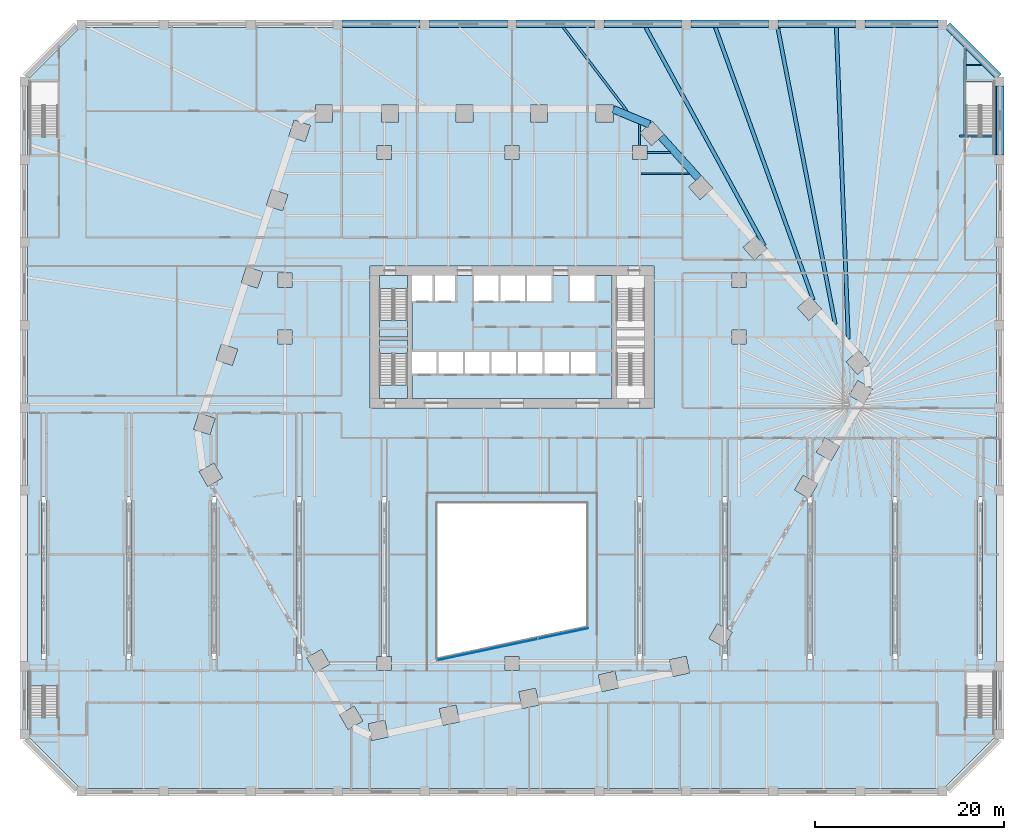
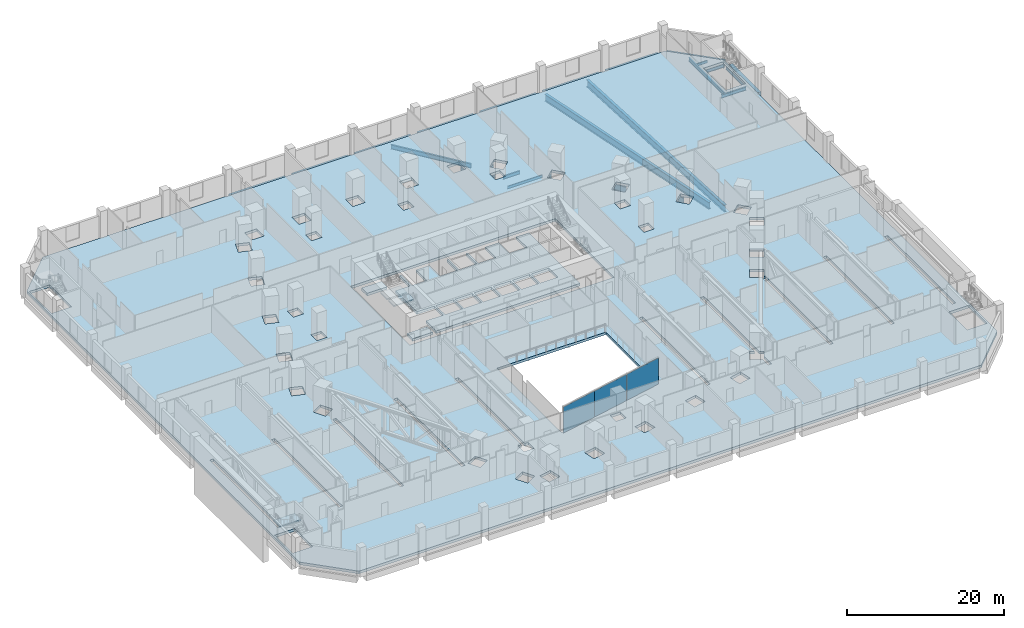
# One storey, part 11 of 32: 24 beams, 7 slabs, 3 plates, 4 elements without a shape of their own.
"""IFC4 building model written with IfcOpenShell, lengths in metres."""

from ifc_helpers import new_model, si_unit, direction, frame, origin, origin_2d, place, context, subcontext, project, spatial, polyline, rectangle, i_section, outline, extrude, material, layer, layer_set, material_profile, profile_set, type_object, element, aggregate, save


model = new_model("IFC4")

# Units and contexts
model_context = context("Model", 3, precision=1e-05, world=origin(), true_north=direction((0.0, 1.0)))
body_context = subcontext(model_context, "Body", "Model", "MODEL_VIEW")
ifc_project = project(units=[si_unit("LENGTHUNIT", "METRE"), si_unit("AREAUNIT", "SQUARE_METRE"), si_unit("VOLUMEUNIT", "CUBIC_METRE"), si_unit("PLANEANGLEUNIT", "RADIAN"), si_unit("MASSUNIT", "GRAM", prefix="KILO")], contexts=[model_context])

# Site, building, storey
site_placement = place(None, origin())
site = spatial("IfcSite", under=ifc_project, at=site_placement, CompositionType="ELEMENT")
building_placement = place(site_placement, origin())
building = spatial("IfcBuilding", under=site, at=building_placement, Name="Isthmus Gate Tower", CompositionType="ELEMENT")
storey_placement = place(building_placement, frame((0.0, 0.0, 18.0)))
storey = spatial("IfcBuildingStorey", under=building, at=storey_placement, Name="L02", CompositionType="ELEMENT", Elevation=18.0)

# Beams
ifc_material_1 = material(Name="Concrete f'c 70 MPa", Category="concrete")
ifc_material_profile_1 = material_profile(ifc_material_1, rectangle(XDim=0.800048828125, YDim=0.89990234375, at=origin_2d()), Name="RC 800X900")
ifc_profile_set_1 = profile_set([ifc_material_profile_1], Name="Concrete f'c 70 MPa")
beam_type_1 = type_object("IfcBeamType", Name="RC EDGE BEAM 800 X 900", PredefinedType="BEAM", material=ifc_profile_set_1)
for number, where, z_axis, x_axis, name in (
    (1, (-17.89990234375, 40.60009765625, -0.85009765625), (1.0, 0.0, 0.0), (0.0, 1.0, 0.0), "str-edgebeam-L02-12"),
    (2, (-8.699951171875, 40.60009765625, -0.85009765625), (1.0, 0.0, 0.0), (0.0, 1.0, 0.0), "str-edgebeam-L02-13"),
    (3, (0.5, 40.60009765625, -0.85009765625), (1.0, 0.0, 0.0), (0.0, 1.0, 0.0), "str-edgebeam-L02-14"),
    (4, (9.699951171875, 40.60009765625, -0.85009765625), (1.0, 0.0, 0.0), (0.0, 1.0, 0.0), "str-edgebeam-L02-15"),
):
    element("IfcBeam", number, at=place(storey_placement, frame(where, z_axis=z_axis, x_axis=x_axis)), inside=storey, type_object=beam_type_1, Name=name, PredefinedType="BEAM", context=body_context, shape_type="SweptSolid", body=[
        extrude(rectangle(XDim=0.800048828125, YDim=0.89990234375, at=origin_2d()), origin(), (0.0, 0.0, 1.0), 8.199951171875),
    ])
beam_1_placement = place(storey_placement, frame((18.89990234375, 40.60009765625, -0.85009765625), z_axis=(1.0, 0.0, 0.0), x_axis=(0.0, 1.0, 0.0)))
element("IfcBeam", 5, at=beam_1_placement, inside=storey, type_object=beam_type_1, Name="str-edgebeam-L02-16", PredefinedType="BEAM", context=body_context, shape_type="SweptSolid", body=[
    extrude(rectangle(XDim=0.800048828125, YDim=0.89990234375, at=origin_2d()), origin(), (0.0, 0.0, 1.0), 8.2001953125),
])
beam_2_placement = place(storey_placement, frame((28.10009765625, 40.60009765625, -0.85009765625), z_axis=(1.0, 0.0, 0.0), x_axis=(0.0, 1.0, 0.0)))
element("IfcBeam", 6, at=beam_2_placement, inside=storey, type_object=beam_type_1, Name="str-edgebeam-L02-17", PredefinedType="BEAM", context=body_context, shape_type="SweptSolid", body=[
    extrude(rectangle(XDim=0.800048828125, YDim=0.89990234375, at=origin_2d()), origin(), (0.0, 0.0, 1.0), 8.199951171875),
])
beam_3_placement = place(storey_placement, frame((37.300048828125, 40.60009765625, -0.85009765625), z_axis=(1.0, 0.0, 0.0), x_axis=(0.0, 1.0, 0.0)))
element("IfcBeam", 7, at=beam_3_placement, inside=storey, type_object=beam_type_1, Name="str-edgebeam-L02-18", PredefinedType="BEAM", context=body_context, shape_type="SweptSolid", body=[
    extrude(rectangle(XDim=0.800048828125, YDim=0.89990234375, at=origin_2d()), origin(), (0.0, 0.0, 1.0), 7.699951171875),
])
beam_4_placement = place(storey_placement, frame((46.0, 40.434326171875, -0.85009765625), z_axis=(0.707106781187, -0.707106781187, 0.0), x_axis=(0.707106781187, 0.707106781187, 0.0)))
element("IfcBeam", 8, at=beam_4_placement, inside=storey, type_object=beam_type_1, Name="str-edgebeam-L02-19", PredefinedType="BEAM", context=body_context, shape_type="SweptSolid", body=[
    extrude(rectangle(XDim=0.800048828125, YDim=0.89990234375, at=origin_2d()), origin(), (0.0, 0.0, 1.0), 7.685302734375),
])
beam_5_placement = place(storey_placement, frame((51.60009765625, 34.0, -0.85009765625), z_axis=(0.0, -1.0, 0.0), x_axis=(1.0, 0.0, 0.0)))
element("IfcBeam", 9, at=beam_5_placement, inside=storey, type_object=beam_type_1, Name="str-edgebeam-L02-20", PredefinedType="BEAM", context=body_context, shape_type="SweptSolid", body=[
    extrude(rectangle(XDim=0.800048828125, YDim=0.89990234375, at=origin_2d()), origin(), (0.0, 0.0, 1.0), 7.25),
])
ifc_material_2 = material(Name="Concrete f'c 70 MPa", Category="concrete")
ifc_material_profile_2 = material_profile(ifc_material_2, rectangle(XDim=0.800048828125, YDim=1.0, at=origin_2d()), Name="RC 800X1000")
ifc_profile_set_2 = profile_set([ifc_material_profile_2], Name="Concrete f'c 70 MPa")
beam_type_2 = type_object("IfcBeamType", Name="RC TUBE RING BEAM 800 X 1000", PredefinedType="BEAM", material=ifc_profile_set_2)
beam_6_placement = place(storey_placement, frame((10.701904296875, 31.56689453125, -0.89990234375), z_axis=(0.923334166719, -0.383997417399, 0.0), x_axis=(0.383997417399, 0.923334166719, 0.0)))
element("IfcBeam", 10, at=beam_6_placement, inside=storey, type_object=beam_type_2, Name="str-ringbeam-L02-00", PredefinedType="BEAM", context=body_context, shape_type="SweptSolid", body=[
    extrude(rectangle(XDim=0.800048828125, YDim=1.0, at=origin_2d()), origin(), (0.0, 0.0, 1.0), 4.15234375),
])
beam_7_placement = place(storey_placement, frame((15.772216796875, 28.66357421875, -0.89990234375), z_axis=(0.669141061586, -0.743135411415, 0.0), x_axis=(0.743135411415, 0.669141061586, 0.0)))
element("IfcBeam", 11, at=beam_7_placement, inside=storey, type_object=beam_type_2, Name="str-ringbeam-L02-01", PredefinedType="BEAM", context=body_context, shape_type="SweptSolid", body=[
    extrude(rectangle(XDim=0.800048828125, YDim=1.0, at=origin_2d()), origin(), (0.0, 0.0, 1.0), 5.889404296875),
])
ifc_material_3 = material(Name="Structural steel ASTM A992 Gr 50", Category="steel")
ifc_material_profile_3 = material_profile(ifc_material_3, i_section(OverallWidth=0.1396484375, OverallDepth=0.4033203125, WebThickness=0.00634765625, FlangeThickness=0.010986328125, at=origin_2d()), Name="W16X31")
ifc_profile_set_3 = profile_set([ifc_material_profile_3], Name="Structural steel ASTM A992 Gr 50")
beam_type_3 = type_object("IfcBeamType", Name="STEEL FLOOR BEAM W16X31", PredefinedType="JOIST", material=ifc_profile_set_3)
beam_8_placement = place(storey_placement, frame((48.0, 36.25146484375, -0.6015625), z_axis=(1.0, 0.0, 0.0), x_axis=(0.0, 1.0, 0.0)))
element("IfcBeam", 12, at=beam_8_placement, inside=storey, type_object=beam_type_3, Name="str-beam-L02-30-00", PredefinedType="JOIST", context=body_context, shape_type="SweptSolid", body=[
    extrude(i_section(OverallWidth=0.1396484375, OverallDepth=0.4033203125, WebThickness=0.00634765625, FlangeThickness=0.010986328125, at=origin_2d()), origin(), (0.0, 0.0, 1.0), 1.616943359375),
])
ifc_material_4 = material(Name="Structural steel ASTM A992 Gr 50", Category="steel")
ifc_material_profile_4 = material_profile(ifc_material_4, i_section(OverallWidth=0.15234375, OverallDepth=0.45068359375, WebThickness=0.0078125, FlangeThickness=0.010986328125, at=origin_2d()), Name="W18X35")
ifc_profile_set_4 = profile_set([ifc_material_profile_4], Name="Structural steel ASTM A992 Gr 50")
beam_type_4 = type_object("IfcBeamType", Name="STEEL FLOOR BEAM W18X35", PredefinedType="JOIST", material=ifc_profile_set_4)
beam_9_placement = place(storey_placement, frame((13.626953125, 24.76904296875, -0.62548828125), z_axis=(1.0, 0.0, 0.0), x_axis=(0.0, 1.0, 0.0)))
element("IfcBeam", 13, at=beam_9_placement, inside=storey, type_object=beam_type_4, Name="str-beam-L02-26-02", PredefinedType="JOIST", context=body_context, shape_type="SweptSolid", body=[
    extrude(i_section(OverallWidth=0.15234375, OverallDepth=0.45068359375, WebThickness=0.0078125, FlangeThickness=0.010986328125, at=origin_2d()), origin(), (0.0, 0.0, 1.0), 5.11376953125),
])
ifc_material_5 = material(Name="Structural steel ASTM A992 Gr 50", Category="steel")
ifc_material_profile_5 = material_profile(ifc_material_5, i_section(OverallWidth=0.25390625, OverallDepth=0.679443359375, WebThickness=0.010986328125, FlangeThickness=0.015869140625, at=origin_2d()), Name="W27X84")
ifc_profile_set_5 = profile_set([ifc_material_profile_5], Name="Structural steel ASTM A992 Gr 50")
beam_type_5 = type_object("IfcBeamType", Name="STEEL FLOOR BEAM W27X84", PredefinedType="JOIST", material=ifc_profile_set_5)
beam_10_placement = place(storey_placement, frame((12.145751953125, 31.399658203125, -0.73974609375), z_axis=(-0.6062299917, 0.795289379511, 0.0), x_axis=(-0.795289379511, -0.6062299917, 0.0)))
element("IfcBeam", 14, at=beam_10_placement, inside=storey, type_object=beam_type_5, Name="str-beam-L02-18-20", PredefinedType="JOIST", context=body_context, shape_type="SweptSolid", body=[
    extrude(i_section(OverallWidth=0.25390625, OverallDepth=0.679443359375, WebThickness=0.010986328125, FlangeThickness=0.015869140625, at=origin_2d()), origin(), (0.0, 0.0, 1.0), 11.0654296875),
])
ifc_material_6 = material(Name="Structural steel ASTM A992 Gr 50", Category="steel")
ifc_material_profile_6 = material_profile(ifc_material_6, i_section(OverallWidth=0.39990234375, OverallDepth=1.089111328125, WebThickness=0.017578125, FlangeThickness=0.03173828125, at=origin_2d()), Name="W44X230")
ifc_profile_set_6 = profile_set([ifc_material_profile_6], Name="Structural steel ASTM A992 Gr 50")
beam_type_6 = type_object("IfcBeamType", Name="STEEL FLOOR BEAM W44X230", PredefinedType="JOIST", material=ifc_profile_set_6)
beam_11_placement = place(storey_placement, frame((35.5419921875, 7.304931640625, -0.944580078125), z_axis=(-0.038305520887, 0.999266074211, 0.0), x_axis=(-0.999266074211, -0.038305520887, 0.0)))
element("IfcBeam", 15, at=beam_11_placement, inside=storey, type_object=beam_type_6, Name="str-beam-L02-18-12", PredefinedType="JOIST", context=body_context, shape_type="SweptSolid", body=[
    extrude(i_section(OverallWidth=0.39990234375, OverallDepth=1.089111328125, WebThickness=0.017578125, FlangeThickness=0.03173828125, at=origin_2d()), origin(), (0.0, 0.0, 1.0), 32.919189453125),
])
beam_12_placement = place(storey_placement, frame((34.1640625, 8.835205078125, -0.944580078125), z_axis=(-0.190388932387, 0.981708742155, 0.0), x_axis=(-0.981708742155, -0.190388932387, 0.0)))
element("IfcBeam", 16, at=beam_12_placement, inside=storey, type_object=beam_type_6, Name="str-beam-L02-18-14", PredefinedType="JOIST", context=body_context, shape_type="SweptSolid", body=[
    extrude(i_section(OverallWidth=0.39990234375, OverallDepth=1.089111328125, WebThickness=0.017578125, FlangeThickness=0.03173828125, at=origin_2d()), origin(), (0.0, 0.0, 1.0), 31.850341796875),
])
beam_13_placement = place(storey_placement, frame((31.833984375, 11.423095703125, -0.944580078125), z_axis=(-0.338018180935, 0.941139580167, 0.0), x_axis=(-0.941139580167, -0.338018180935, 0.0)))
element("IfcBeam", 17, at=beam_13_placement, inside=storey, type_object=beam_type_6, Name="str-beam-L02-18-16", PredefinedType="JOIST", context=body_context, shape_type="SweptSolid", body=[
    extrude(i_section(OverallWidth=0.39990234375, OverallDepth=1.089111328125, WebThickness=0.017578125, FlangeThickness=0.03173828125, at=origin_2d()), origin(), (0.0, 0.0, 1.0), 30.57666015625),
])
beam_14_placement = place(storey_placement, frame((26.67578125, 17.15185546875, -0.944580078125), z_axis=(-0.477721171073, 0.878511515411, 0.0), x_axis=(-0.878511515411, -0.477721171073, 0.0)))
element("IfcBeam", 18, at=beam_14_placement, inside=storey, type_object=beam_type_6, Name="str-beam-L02-18-18", PredefinedType="JOIST", context=body_context, shape_type="SweptSolid", body=[
    extrude(i_section(OverallWidth=0.39990234375, OverallDepth=1.089111328125, WebThickness=0.017578125, FlangeThickness=0.03173828125, at=origin_2d()), origin(), (0.0, 0.0, 1.0), 26.2353515625),
])
ifc_material_7 = material(Name="Structural steel ASTM A992 Gr 50", Category="steel")
ifc_material_profile_7 = material_profile(ifc_material_7, i_section(OverallWidth=0.20947265625, OverallDepth=0.533447265625, WebThickness=0.009521484375, FlangeThickness=0.015869140625, at=origin_2d()), Name="W21X62")
ifc_profile_set_7 = profile_set([ifc_material_profile_7], Name="Structural steel ASTM A992 Gr 50")
beam_type_7 = type_object("IfcBeamType", Name="STEEL GIRDER W21X62", PredefinedType="BEAM", material=ifc_profile_set_7)
beam_15_placement = place(storey_placement, frame((14.25, 27.0, -0.666748046875), z_axis=(1.0, 0.0, 0.0), x_axis=(0.0, 1.0, 0.0)))
element("IfcBeam", 19, at=beam_15_placement, inside=storey, type_object=beam_type_7, Name="str-girder-L02-14", PredefinedType="BEAM", context=body_context, shape_type="SweptSolid", body=[
    extrude(i_section(OverallWidth=0.20947265625, OverallDepth=0.533447265625, WebThickness=0.009521484375, FlangeThickness=0.015869140625, at=origin_2d()), origin(), (0.0, 0.0, 1.0), 2.48193359375),
])
beam_16_placement = place(storey_placement, frame((13.5, 27.75, -0.666748046875), z_axis=(0.0, 1.0, 0.0), x_axis=(-1.0, 0.0, 0.0)))
element("IfcBeam", 20, at=beam_16_placement, inside=storey, type_object=beam_type_7, Name="str-girder-L02-25", PredefinedType="BEAM", context=body_context, shape_type="SweptSolid", body=[
    extrude(i_section(OverallWidth=0.20947265625, OverallDepth=0.533447265625, WebThickness=0.009521484375, FlangeThickness=0.015869140625, at=origin_2d()), origin(), (0.0, 0.0, 1.0), 2.219970703125),
])
ifc_material_8 = material(Name="Structural steel ASTM A992 Gr 50", Category="steel")
ifc_material_profile_8 = material_profile(ifc_material_8, i_section(OverallWidth=0.20947265625, OverallDepth=0.533447265625, WebThickness=0.009521484375, FlangeThickness=0.015869140625, at=origin_2d()), Name="W21X62")
ifc_profile_set_8 = profile_set([ifc_material_profile_8], Name="Structural steel ASTM A992 Gr 50")
beam_type_8 = type_object("IfcBeamType", Name="STEEL TRIMMER W21X62", PredefinedType="BEAM", material=ifc_profile_set_8)
beam_17_placement = place(storey_placement, frame((51.0546875, 26.75, -0.666748046875), z_axis=(0.0, 1.0, 0.0), x_axis=(-1.0, 0.0, 0.0)))
element("IfcBeam", 21, at=beam_17_placement, inside=storey, type_object=beam_type_8, Name="str-trimmer-L02-05", PredefinedType="BEAM", context=body_context, shape_type="SweptSolid", body=[
    extrude(i_section(OverallWidth=0.20947265625, OverallDepth=0.533447265625, WebThickness=0.009521484375, FlangeThickness=0.015869140625, at=origin_2d()), origin(), (0.0, 0.0, 1.0), 7.25),
])
beam_18_placement = place(storey_placement, frame((47.895263671875, 37.973388671875, -0.666748046875), z_axis=(0.0, -1.0, 0.0), x_axis=(1.0, 0.0, 0.0)))
element("IfcBeam", 22, at=beam_18_placement, inside=storey, type_object=beam_type_8, Name="str-trimmer-L02-06", PredefinedType="BEAM", context=body_context, shape_type="SweptSolid", body=[
    extrude(i_section(OverallWidth=0.20947265625, OverallDepth=0.533447265625, WebThickness=0.009521484375, FlangeThickness=0.015869140625, at=origin_2d()), origin(), (0.0, 0.0, 1.0), 9.1484375),
])
beam_19_placement = place(storey_placement, frame((51.0, 34.52978515625, -0.666748046875), z_axis=(-1.0, 0.0, 0.0), x_axis=(0.0, -1.0, 0.0)))
element("IfcBeam", 23, at=beam_19_placement, inside=storey, type_object=beam_type_8, Name="str-trimmer-L02-14", PredefinedType="BEAM", context=body_context, shape_type="SweptSolid", body=[
    extrude(i_section(OverallWidth=0.20947265625, OverallDepth=0.533447265625, WebThickness=0.009521484375, FlangeThickness=0.015869140625, at=origin_2d()), origin(), (0.0, 0.0, 1.0), 3.0),
])
beam_20_placement = place(storey_placement, frame((47.300048828125, 28.72021484375, -0.666748046875), z_axis=(1.0, 0.0, 0.0), x_axis=(0.0, 1.0, 0.0)))
element("IfcBeam", 24, at=beam_20_placement, inside=storey, type_object=beam_type_8, Name="str-trimmer-L02-15", PredefinedType="BEAM", context=body_context, shape_type="SweptSolid", body=[
    extrude(i_section(OverallWidth=0.20947265625, OverallDepth=0.533447265625, WebThickness=0.009521484375, FlangeThickness=0.015869140625, at=origin_2d()), origin(), (0.0, 0.0, 1.0), 3.64990234375),
])

# Slabs
ifc_material_9 = material(Name="Concrete f'c 40 MPa", Category="concrete")
ifc_layer_1 = layer(ifc_material_9, 0.39990234375)
ifc_layer_set_1 = layer_set([ifc_layer_1], Name="CORE FLOOR SLAB 400")
slab_type_1 = type_object("IfcSlabType", Name="CORE FLOOR SLAB 400", PredefinedType="FLOOR", material=ifc_layer_set_1)
slab_1_placement = place(storey_placement, frame((0.0, 0.0, -0.39990234375)))
element("IfcSlab", 25, at=slab_1_placement, inside=storey, type_object=slab_type_1, Name="L02 core floor", PredefinedType="FLOOR", context=body_context, shape_type="SweptSolid", body=[
    extrude(outline(polyline([(-11.050048828125, 1.0), (-11.050048828125, 2.402099609375), (-14.0, 2.402099609375), (-14.0, 1.0), (-11.050048828125, 1.0)])), origin(), (0.0, 0.0, 1.0), 0.39990234375),
])
slab_2_placement = place(storey_placement, frame((0.0, 0.0, -0.39990234375)))
element("IfcSlab", 26, at=slab_2_placement, inside=storey, type_object=slab_type_1, Name="L02 core floor", PredefinedType="FLOOR", context=body_context, shape_type="SweptSolid", body=[
    extrude(outline(polyline([(-14.0, 14.0), (-14.0, 12.597900390625), (-11.050048828125, 12.597900390625), (-11.050048828125, 14.0), (-14.0, 14.0)])), origin(), (0.0, 0.0, 1.0), 0.39990234375),
])
slab_3_placement = place(storey_placement, frame((0.0, 0.0, -0.39990234375)))
element("IfcSlab", 27, at=slab_3_placement, inside=storey, type_object=slab_type_1, Name="L02 core floor", PredefinedType="FLOOR", context=body_context, shape_type="SweptSolid", body=[
    extrude(outline(polyline([(10.550048828125, 14.0), (8.699951171875, 14.0), (8.699951171875, 11.300048828125), (6.14990234375, 11.300048828125), (6.14990234375, 14.0), (4.14990234375, 14.0), (4.14990234375, 11.300048828125), (1.60009765625, 11.300048828125), (1.60009765625, 14.0), (1.35009765625, 14.0), (1.35009765625, 11.300048828125), (-1.199951171875, 11.300048828125), (-1.199951171875, 14.0), (-1.449951171875, 14.0), (-1.449951171875, 11.300048828125), (-4.0, 11.300048828125), (-4.0, 14.0), (-6.0, 14.0), (-6.0, 11.300048828125), (-8.14990234375, 11.300048828125), (-8.14990234375, 14.0), (-8.39990234375, 14.0), (-8.39990234375, 11.300048828125), (-10.550048828125, 11.300048828125), (-10.550048828125, 5.89990234375), (-8.0, 5.89990234375), (-8.0, 3.60009765625), (-10.550048828125, 3.60009765625), (-10.550048828125, 1.0), (10.550048828125, 1.0), (10.550048828125, 14.0)]), holes=[polyline([(-5.199951171875, 5.89990234375), (-5.199951171875, 3.60009765625), (-7.75, 3.60009765625), (-7.75, 5.89990234375), (-5.199951171875, 5.89990234375)]), polyline([(-2.39990234375, 5.89990234375), (-2.39990234375, 3.60009765625), (-4.949951171875, 3.60009765625), (-4.949951171875, 5.89990234375), (-2.39990234375, 5.89990234375)]), polyline([(0.39990234375, 5.89990234375), (0.39990234375, 3.60009765625), (-2.14990234375, 3.60009765625), (-2.14990234375, 5.89990234375), (0.39990234375, 5.89990234375)]), polyline([(3.199951171875, 5.89990234375), (3.199951171875, 3.60009765625), (0.64990234375, 3.60009765625), (0.64990234375, 5.89990234375), (3.199951171875, 5.89990234375)]), polyline([(6.0, 5.89990234375), (6.0, 3.60009765625), (3.449951171875, 3.60009765625), (3.449951171875, 5.89990234375), (6.0, 5.89990234375)]), polyline([(8.800048828125, 5.89990234375), (8.800048828125, 3.60009765625), (6.25, 3.60009765625), (6.25, 5.89990234375), (8.800048828125, 5.89990234375)])]), origin(), (0.0, 0.0, 1.0), 0.39990234375),
])

# Curtain wall, plates
ifc_material_10 = material(Name="Aluminium, pale champagne anodised", Category="aluminium")
ifc_layer_2 = layer(ifc_material_10, 0.199951171875)
ifc_layer_set_2 = layer_set([ifc_layer_2], Name="CW-4 ATRIUM CURTAIN WALL 200 DEEP")
curtain_wall_type = type_object("IfcCurtainWallType", Name="CW-4 ATRIUM CURTAIN WALL 200 DEEP", PredefinedType="NOTDEFINED", material=ifc_layer_set_2)
curtain_wall_placement = place(storey_placement, origin())
curtain_wall = element("IfcCurtainWall", 28, at=curtain_wall_placement, inside=storey, type_object=curtain_wall_type, Name="CW-4 atrium south L02", PredefinedType="NOTDEFINED")
ifc_material_11 = material(Name="Laminated low-iron glass, clear", Category="glass")
ifc_layer_3 = layer(ifc_material_11, 0.0439453125)
ifc_layer_set_3 = layer_set([ifc_layer_3], Name="CW-4 ATRIUM GLASS PANEL 44")
plate_type = type_object("IfcPlateType", Name="CW-4 ATRIUM GLASS PANEL 44", PredefinedType="CURTAIN_PANEL", material=ifc_layer_set_3)
plate_1_placement = place(storey_placement, frame((-5.262939453125, -26.11572265625, 0.0), z_axis=(0.0, 0.0, 1.0), x_axis=(0.978147600734, 0.207911690818, 0.0)))
plate_1 = element("IfcPlate", 29, at=plate_1_placement, type_object=plate_type, Name="CW-4 louvre panel", PredefinedType="CURTAIN_PANEL", context=body_context, shape_type="SweptSolid", body=[
    extrude(rectangle(XDim=5.37255859375, YDim=0.0439453125, at=origin_2d()), origin(), (0.0, 0.0, 1.0), 4.050048828125),
])
plate_2_placement = place(storey_placement, frame((0.03125, -24.990234375, 0.0), z_axis=(0.0, 0.0, 1.0), x_axis=(0.978147600734, 0.207911690818, 0.0)))
plate_2 = element("IfcPlate", 30, at=plate_2_placement, type_object=plate_type, Name="CW-4 louvre panel", PredefinedType="CURTAIN_PANEL", context=body_context, shape_type="SweptSolid", body=[
    extrude(rectangle(XDim=5.452392578125, YDim=0.0439453125, at=origin_2d()), origin(), (0.0, 0.0, 1.0), 4.050048828125),
])
plate_3_placement = place(storey_placement, frame((5.403564453125, -23.848388671875, 0.0), z_axis=(0.0, 0.0, 1.0), x_axis=(0.978147600734, 0.207911690818, 0.0)))
plate_3 = element("IfcPlate", 31, at=plate_3_placement, type_object=plate_type, Name="CW-4 louvre panel", PredefinedType="CURTAIN_PANEL", context=body_context, shape_type="SweptSolid", body=[
    extrude(rectangle(XDim=5.37255859375, YDim=0.0439453125, at=origin_2d()), origin(), (0.0, 0.0, 1.0), 4.050048828125),
])
aggregate(curtain_wall, [plate_1, plate_2, plate_3])

# Stair, slab
ifc_material_12 = material(Name="Concrete f'c 40 MPa", Category="concrete")
stair_type_1 = type_object("IfcStairType", Name="Podium exit stair 1400 wide flights", PredefinedType="HALF_TURN_STAIR", material=ifc_material_12)
stair_1_placement = place(storey_placement, origin())
stair_1 = element("IfcStair", 32, at=stair_1_placement, inside=storey, type_object=stair_type_1, Name="L02 Podium Exit Stair ST3", PredefinedType="HALF_TURN_STAIR")
ifc_material_13 = material(Name="Concrete f'c 40 MPa", Category="concrete")
ifc_layer_4 = layer(ifc_material_13, 0.199951171875)
ifc_layer_set_4 = layer_set([ifc_layer_4], Name="Podium stair landing 200")
slab_type_2 = type_object("IfcSlabType", Name="Podium stair landing 200", PredefinedType="LANDING", material=ifc_layer_set_4)
slab_4_placement = place(storey_placement, frame((0.0, 0.0, 2.050048828125)))
slab_4 = element("IfcSlab", 33, at=slab_4_placement, type_object=slab_type_2, Name="ST3 landing 1", PredefinedType="LANDING", context=body_context, shape_type="SweptSolid", body=[
    extrude(outline(polyline([(-47.89990234375, -29.364990234375), (-47.89990234375, -27.72900390625), (-51.050048828125, -27.72900390625), (-51.050048828125, -29.364990234375), (-47.89990234375, -29.364990234375)])), origin(), (0.0, 0.0, 1.0), 0.199951171875),
])
aggregate(stair_1, [slab_4])

ifc_material_14 = material(Name="Concrete f'c 40 MPa", Category="concrete")
stair_type_2 = type_object("IfcStairType", Name="CORE STAIR 26 RISERS", PredefinedType="HALF_TURN_STAIR", material=ifc_material_14)
stair_2_placement = place(storey_placement, origin())
stair_2 = element("IfcStair", 34, at=stair_2_placement, inside=storey, type_object=stair_type_2, Name="L02 Exit Stair 1", PredefinedType="HALF_TURN_STAIR")
ifc_material_15 = material(Name="Concrete f'c 40 MPa", Category="concrete")
ifc_layer_5 = layer(ifc_material_15, 0.199951171875)
ifc_layer_set_5 = layer_set([ifc_layer_5])
slab_type_3 = type_object("IfcSlabType", Name="STAIR LANDING RC 200", PredefinedType="LANDING", material=ifc_layer_set_5)
slab_5_placement = place(storey_placement, frame((0.0, 0.0, 2.050048828125)))
slab_5 = element("IfcSlab", 35, at=slab_5_placement, type_object=slab_type_3, Name="ST1 landing 1", PredefinedType="LANDING", context=body_context, shape_type="SweptSolid", body=[
    extrude(outline(polyline([(-14.0, 9.239990234375), (-14.0, 7.5), (-11.050048828125, 7.5), (-11.050048828125, 9.239990234375), (-14.0, 9.239990234375)])), origin(), (0.0, 0.0, 1.0), 0.199951171875),
])
aggregate(stair_2, [slab_5])

stair_3_placement = place(storey_placement, origin())
stair_3 = element("IfcStair", 36, at=stair_3_placement, inside=storey, type_object=stair_type_2, Name="L02 Exit Stair 7", PredefinedType="HALF_TURN_STAIR")
slab_6_placement = place(storey_placement, frame((0.0, 0.0, 2.050048828125)))
slab_6 = element("IfcSlab", 37, at=slab_6_placement, type_object=slab_type_3, Name="ST7 landing 1", PredefinedType="LANDING", context=body_context, shape_type="SweptSolid", body=[
    extrude(outline(polyline([(-11.050048828125, 5.760009765625), (-11.050048828125, 7.199951171875), (-14.0, 7.199951171875), (-14.0, 5.760009765625), (-11.050048828125, 5.760009765625)])), origin(), (0.0, 0.0, 1.0), 0.199951171875),
])
aggregate(stair_3, [slab_6])

# Slab
ifc_material_16 = material(Name="Concrete f'c 40 MPa", Category="concrete")
ifc_layer_6 = layer(ifc_material_16, 0.39990234375)
ifc_layer_set_6 = layer_set([ifc_layer_6], Name="TRANSFER FLOOR SLAB 400")
slab_type_4 = type_object("IfcSlabType", Name="TRANSFER FLOOR SLAB 400", PredefinedType="FLOOR", material=ifc_layer_set_6)
slab_7_placement = place(storey_placement, frame((0.0, 0.0, -0.39990234375)))
element("IfcSlab", 38, at=slab_7_placement, inside=storey, type_object=slab_type_4, Name="str-slab-L02-1", PredefinedType="FLOOR", context=body_context, shape_type="SweptSolid", body=[
    extrude(outline(polyline([(-51.199951171875, -34.668701171875), (-51.199951171875, 34.668701171875), (-45.668701171875, 40.199951171875), (45.668701171875, 40.199951171875), (51.199951171875, 34.668701171875), (51.199951171875, -34.668701171875), (45.668701171875, -40.199951171875), (-45.668701171875, -40.199951171875), (-51.199951171875, -34.668701171875)]), holes=[polyline([(-13.06494140625, -34.777099609375), (-13.439208984375, -33.016357421875), (-15.19970703125, -33.390625), (-14.82568359375, -35.1513671875), (-13.06494140625, -34.777099609375)]), polyline([(-18.224609375, -32.433837890625), (-17.32470703125, -33.99267578125), (-15.765869140625, -33.0927734375), (-16.666015625, -31.533935546875), (-18.224609375, -32.433837890625)]), polyline([(-50.949951171875, -32.52490234375), (-48.0, -32.52490234375), (-48.0, -27.928955078125), (-50.949951171875, -27.928955078125), (-50.949951171875, -32.52490234375)]), polyline([(-20.79638671875, -27.9794921875), (-19.237548828125, -27.079345703125), (-20.1376953125, -25.5205078125), (-21.696533203125, -26.420654296875), (-20.79638671875, -27.9794921875)]), polyline([(-40.75, -26.60009765625), (-40.25, -26.60009765625), (-40.25, -9.39990234375), (-40.75, -9.39990234375), (-40.75, -26.60009765625)]), polyline([(-31.75, -26.60009765625), (-31.25, -26.60009765625), (-31.25, -9.39990234375), (-31.75, -9.39990234375), (-31.75, -26.60009765625)]), polyline([(-22.25, -26.60009765625), (-22.25, -9.39990234375), (-22.75, -9.39990234375), (-22.75, -26.60009765625), (-22.25, -26.60009765625)]), polyline([(-49.75, -26.60009765625), (-49.25, -26.60009765625), (-49.25, -9.39990234375), (-49.75, -9.39990234375), (-49.75, -26.60009765625)]), polyline([(-33.063720703125, -6.73193359375), (-32.163818359375, -8.290771484375), (-30.60498046875, -7.390869140625), (-31.5048828125, -5.831787109375), (-33.063720703125, -6.73193359375)]), polyline([(-33.08984375, -0.548828125), (-33.64599609375, -2.2607421875), (-31.93408203125, -2.817138671875), (-31.3779296875, -1.105224609375), (-33.08984375, -0.548828125)]), polyline([(-29.001953125, 6.207763671875), (-30.7138671875, 6.76416015625), (-31.27001953125, 5.052001953125), (-29.55810546875, 4.495849609375), (-29.001953125, 6.207763671875)]), polyline([(-23.25, 8.25), (-24.75, 8.25), (-24.75, 6.75), (-23.25, 6.75), (-23.25, 8.25)]), polyline([(-24.75, 14.25), (-24.75, 12.75), (-23.25, 12.75), (-23.25, 14.25), (-24.75, 14.25)]), polyline([(-28.61572265625, 13.22119140625), (-26.90380859375, 12.664794921875), (-26.34765625, 14.376708984375), (-28.0595703125, 14.93310546875), (-28.61572265625, 13.22119140625)]), polyline([(-25.4052734375, 23.10205078125), (-25.96142578125, 21.389892578125), (-24.24951171875, 20.833740234375), (-23.693359375, 22.545654296875), (-25.4052734375, 23.10205078125)]), polyline([(-23.029052734375, 30.4150390625), (-23.585205078125, 28.702880859375), (-21.873291015625, 28.146728515625), (-21.317138671875, 29.858642578125), (-23.029052734375, 30.4150390625)]), polyline([(-18.976318359375, 32.0), (-20.776123046875, 32.0), (-20.776123046875, 30.199951171875), (-18.976318359375, 30.199951171875), (-18.976318359375, 32.0)]), polyline([(-50.949951171875, 28.824951171875), (-48.0, 28.824951171875), (-48.0, 34.425048828125), (-50.949951171875, 34.425048828125), (-50.949951171875, 28.824951171875)]), polyline([(-7.30419921875, -33.552490234375), (-5.543701171875, -33.17822265625), (-5.917724609375, -31.417724609375), (-7.678466796875, -31.7919921875), (-7.30419921875, -33.552490234375)]), polyline([(2.858154296875, -31.392578125), (2.48388671875, -29.6318359375), (0.72314453125, -30.006103515625), (1.097412109375, -31.7666015625), (2.858154296875, -31.392578125)]), polyline([(9.4990234375, -29.98095703125), (11.259765625, -29.606689453125), (10.885498046875, -27.845947265625), (9.124755859375, -28.22021484375), (9.4990234375, -29.98095703125)]), polyline([(17.020263671875, -28.382080078125), (18.781005859375, -28.008056640625), (18.40673828125, -26.247314453125), (16.64599609375, -26.62158203125), (17.020263671875, -28.382080078125)]), polyline([(-14.25, -26.25), (-14.25, -27.75), (-12.75, -27.75), (-12.75, -26.25), (-13.25, -26.25), (-13.25, -9.39990234375), (-13.75, -9.39990234375), (-13.75, -26.25), (-14.25, -26.25)]), polyline([(-0.75, -26.25), (-0.75, -27.75), (0.75, -27.75), (0.75, -26.25), (-0.75, -26.25)]), polyline([(-8.0, -10.0), (-8.0, -26.544189453125), (8.0, -23.143310546875), (8.0, -10.0), (-8.0, -10.0)]), polyline([(13.25, -26.60009765625), (13.75, -26.60009765625), (13.75, -9.39990234375), (13.25, -9.39990234375), (13.25, -26.60009765625)]), polyline([(-15.0, 0.0), (15.0, 0.0), (15.0, 15.0), (-15.0, 15.0), (-15.0, 0.0)]), polyline([(-0.75, 27.75), (-0.75, 26.25), (0.75, 26.25), (0.75, 27.75), (-0.75, 27.75)]), polyline([(-14.25, 26.25), (-12.75, 26.25), (-12.75, 27.75), (-14.25, 27.75), (-14.25, 26.25)]), polyline([(12.75, 27.75), (12.75, 26.25), (14.25, 26.25), (14.25, 27.75), (12.75, 27.75)]), polyline([(16.069580078125, 28.93115234375), (14.864990234375, 30.268798828125), (13.52734375, 29.064453125), (14.73193359375, 27.726806640625), (16.069580078125, 28.93115234375)]), polyline([(-4.13720703125, 32.0), (-5.937255859375, 32.0), (-5.937255859375, 30.199951171875), (-4.13720703125, 30.199951171875), (-4.13720703125, 32.0)]), polyline([(-12.006591796875, 32.0), (-13.806640625, 32.0), (-13.806640625, 30.199951171875), (-12.006591796875, 30.199951171875), (-12.006591796875, 32.0)]), polyline([(3.732421875, 30.199951171875), (3.732421875, 32.0), (1.932373046875, 32.0), (1.932373046875, 30.199951171875), (3.732421875, 30.199951171875)]), polyline([(10.701904296875, 30.199951171875), (10.701904296875, 32.0), (8.90185546875, 32.0), (8.90185546875, 30.199951171875), (10.701904296875, 30.199951171875)]), polyline([(48.0, -32.52490234375), (50.949951171875, -32.52490234375), (50.949951171875, -27.928955078125), (48.0, -27.928955078125), (48.0, -32.52490234375)]), polyline([(20.802978515625, -24.3681640625), (22.25, -25.20361328125), (22.25, -26.60009765625), (22.75, -26.60009765625), (22.75, -24.595703125), (23.261962890625, -23.709228515625), (22.75, -23.413818359375), (22.75, -9.39990234375), (22.25, -9.39990234375), (22.25, -23.125), (21.702880859375, -22.80908203125), (20.802978515625, -24.3681640625)]), polyline([(30.760986328125, -7.12060546875), (29.86083984375, -8.679443359375), (31.25, -9.4814453125), (31.25, -26.60009765625), (31.75, -26.60009765625), (31.75, -9.39990234375), (31.523193359375, -9.39990234375), (32.319580078125, -8.0205078125), (30.760986328125, -7.12060546875)]), polyline([(40.25, -26.60009765625), (40.75, -26.60009765625), (40.75, -9.39990234375), (40.25, -9.39990234375), (40.25, -26.60009765625)]), polyline([(49.25, -26.60009765625), (49.75, -26.60009765625), (49.75, -9.39990234375), (49.25, -9.39990234375), (49.25, -26.60009765625)]), polyline([(33.71630859375, -5.601806640625), (34.6162109375, -4.04296875), (33.057373046875, -3.14306640625), (32.1572265625, -4.701904296875), (33.71630859375, -5.601806640625)]), polyline([(35.64208984375, 1.333984375), (37.200927734375, 0.433837890625), (38.100830078125, 1.99267578125), (36.5419921875, 2.892578125), (35.64208984375, 1.333984375)]), polyline([(37.854736328125, 4.736328125), (36.650146484375, 6.073974609375), (35.3125, 4.869384765625), (36.51708984375, 3.531982421875), (37.854736328125, 4.736328125)]), polyline([(23.25, 8.25), (23.25, 6.75), (24.75, 6.75), (24.75, 8.25), (23.25, 8.25)]), polyline([(32.70947265625, 10.45068359375), (31.505126953125, 11.788330078125), (30.16748046875, 10.583740234375), (31.371826171875, 9.24609375), (32.70947265625, 10.45068359375)]), polyline([(23.25, 14.25), (23.25, 12.75), (24.75, 12.75), (24.75, 14.25), (23.25, 14.25)]), polyline([(26.962158203125, 16.833740234375), (25.7578125, 18.17138671875), (24.419921875, 16.967041015625), (25.62451171875, 15.62939453125), (26.962158203125, 16.833740234375)]), polyline([(21.214599609375, 23.216796875), (20.01025390625, 24.554443359375), (18.672607421875, 23.35009765625), (19.877197265625, 22.012451171875), (21.214599609375, 23.216796875)]), polyline([(48.0, 28.824951171875), (50.949951171875, 28.824951171875), (50.949951171875, 34.425048828125), (48.0, 34.425048828125), (48.0, 28.824951171875)])]), origin(), (0.0, 0.0, 1.0), 0.39990234375),
])

save(model, "model.ifc")
